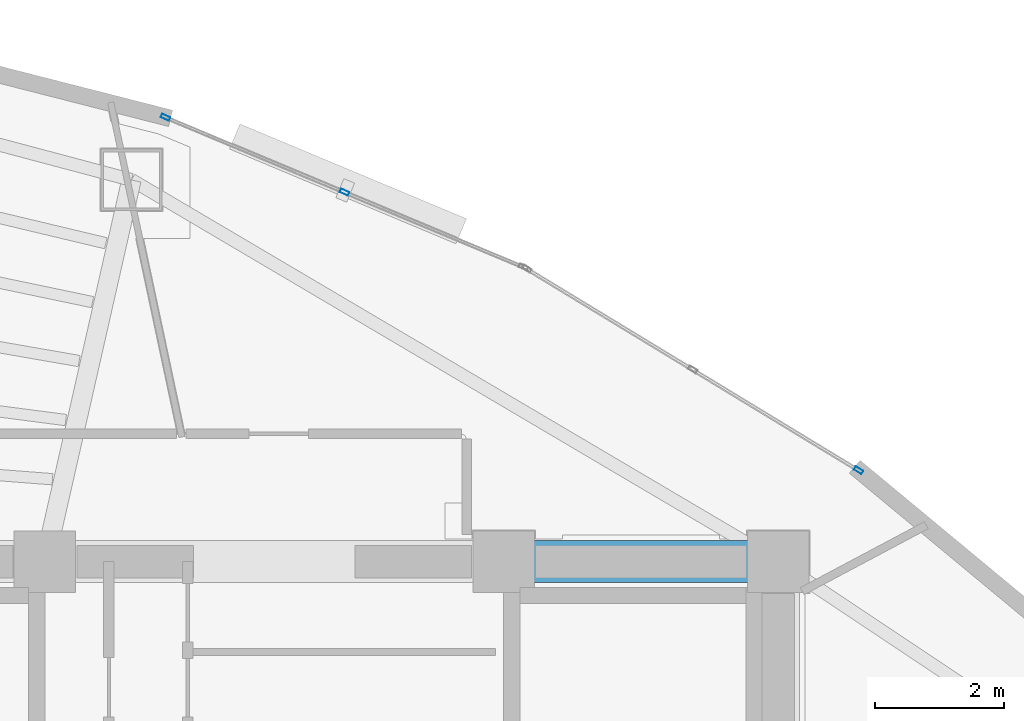
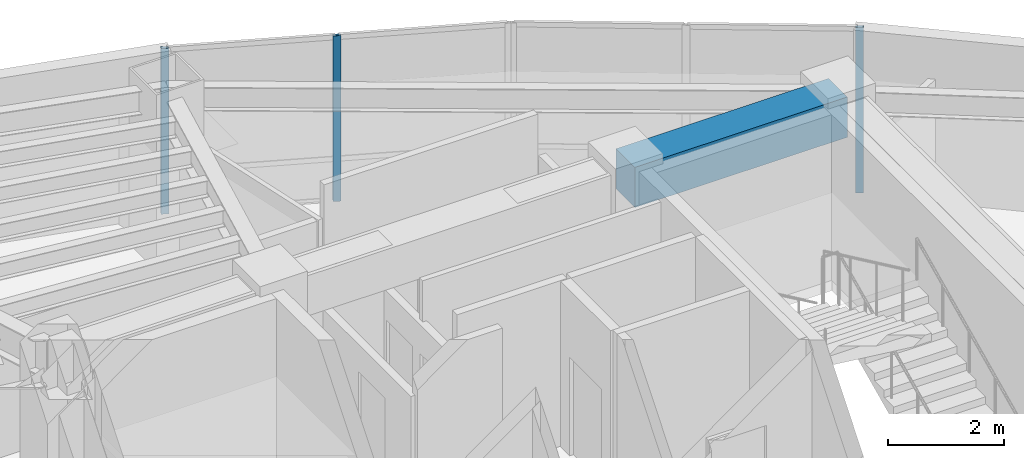
# One storey, part 9 of 15: 3 members, 1 beam, 2 elements without a shape of their own.
"""IFC4 building model written with IfcOpenShell, lengths in metres."""

from ifc_helpers import new_model, si_unit, direction, frame, origin, origin_2d, place, context, subcontext, project, spatial, rectangle, hollow_rectangle, extrude, material, layer, layer_set, material_profile, profile_set, type_object, element, aggregate, save


model = new_model("IFC4")

# Units and contexts
model_context = context("Model", 3, precision=1e-05, world=origin(), true_north=direction((0.0, 1.0)))
body_context = subcontext(model_context, "Body", "Model", "MODEL_VIEW")
ifc_project = project(units=[si_unit("LENGTHUNIT", "METRE"), si_unit("AREAUNIT", "SQUARE_METRE"), si_unit("VOLUMEUNIT", "CUBIC_METRE"), si_unit("PLANEANGLEUNIT", "RADIAN"), si_unit("MASSUNIT", "GRAM", prefix="KILO")], contexts=[model_context])

# Site, building, storey
site_placement = place(None, origin())
site = spatial("IfcSite", under=ifc_project, at=site_placement, CompositionType="ELEMENT")
building_placement = place(site_placement, origin())
building = spatial("IfcBuilding", under=site, at=building_placement, Name="Menara Vayukalpa", CompositionType="ELEMENT")
storey_placement = place(building_placement, frame((0.0, 0.0, 226.97998046875)))
storey = spatial("IfcBuildingStorey", under=building, at=storey_placement, Name="L57", CompositionType="ELEMENT", Elevation=226.97998046875)

# Beam
ifc_material_1 = material(Name="Concrete C60/75", Category="concrete")
ifc_material_profile_1 = material_profile(ifc_material_1, rectangle(XDim=0.64990234375, YDim=0.85009765625, at=origin_2d()), Name="RC 650x850")
ifc_profile_set_1 = profile_set([ifc_material_profile_1], Name="Concrete C60/75")
beam_type = type_object("IfcBeamType", Name="BM-CB1", PredefinedType="BEAM", material=ifc_profile_set_1)
beam_placement = place(storey_placement, frame((29.14990234375, 26.800048828125, 3.074951171875), z_axis=(1.0, 0.0, 0.0), x_axis=(0.0, 1.0, 0.0)))
element("IfcBeam", 1, at=beam_placement, inside=storey, type_object=beam_type, Name="L57 Core Tie Beam CBR6", PredefinedType="BEAM", context=body_context, shape_type="SweptSolid", body=[
    extrude(rectangle(XDim=0.64990234375, YDim=0.85009765625, at=origin_2d()), origin(), (0.0, 0.0, 1.0), 4.25),
])

# Curtain wall, member
ifc_material_2 = material(Name="Anodised Terracotta Aluminium Alloy 6063-T6", Category="masonry")
ifc_layer = layer(ifc_material_2, 0.139892578125)
ifc_layer_set = layer_set([ifc_layer], Name="Anodised Terracotta Aluminium Alloy 6063-T6")
curtain_wall_type = type_object("IfcCurtainWallType", Name="CW-CW5", PredefinedType="USERDEFINED", material=ifc_layer_set)
curtain_wall_1_placement = place(storey_placement, origin())
curtain_wall_1 = element("IfcCurtainWall", 2, at=curtain_wall_1_placement, inside=storey, type_object=curtain_wall_type, Name="L57 High Rise Tapered Curtain Wall CW5 04", ObjectType="UNITISED", PredefinedType="USERDEFINED")
ifc_material_3 = material(Name="Anodised Terracotta Aluminium Alloy 6063-T6", Category="masonry")
ifc_material_profile_2 = material_profile(ifc_material_3, hollow_rectangle(XDim=0.06005859375, YDim=0.139892578125, WallThickness=0.00341796875, at=origin_2d()), Name="ALU 60x140x3.5")
ifc_profile_set_2 = profile_set([ifc_material_profile_2], Name="Anodised Terracotta Aluminium Alloy 6063-T6")
member_type = type_object("IfcMemberType", Name="CWM-CW5", PredefinedType="MULLION", material=ifc_profile_set_2)
member_1_placement = place(storey_placement, frame((34.6416015625, 28.21484375, 0.0), z_axis=(0.0, 0.0, 1.0), x_axis=(-0.519179911779, -0.854664974832, 0.0)))
member_1 = element("IfcMember", 3, at=member_1_placement, type_object=member_type, Name="CW5 mullion 1", PredefinedType="MULLION", context=body_context, shape_type="SweptSolid", body=[
    extrude(hollow_rectangle(XDim=0.06005859375, YDim=0.139892578125, WallThickness=0.00341796875, at=origin_2d()), origin(), (0.0, 0.0, 1.0), 3.5),
])
aggregate(curtain_wall_1, [member_1])

# Curtain wall, members
curtain_wall_2_placement = place(storey_placement, origin())
curtain_wall_2 = element("IfcCurtainWall", 4, at=curtain_wall_2_placement, inside=storey, type_object=curtain_wall_type, Name="L57 High Rise Tapered Curtain Wall CW5 05", ObjectType="UNITISED", PredefinedType="USERDEFINED")
member_2_placement = place(storey_placement, frame((26.686279296875, 32.518310546875, 0.0), z_axis=(0.0, 0.0, 1.0), x_axis=(-0.385902834406, -0.922539431351, 0.0)))
member_2 = element("IfcMember", 5, at=member_2_placement, type_object=member_type, Name="CW5 mullion 2", PredefinedType="MULLION", context=body_context, shape_type="SweptSolid", body=[
    extrude(hollow_rectangle(XDim=0.06005859375, YDim=0.139892578125, WallThickness=0.00341796875, at=origin_2d()), origin(), (0.0, 0.0, 1.0), 3.5),
])
member_3_placement = place(storey_placement, frame((23.916259765625, 33.677001953125, 0.0), z_axis=(0.0, 0.0, 1.0), x_axis=(-0.385902834406, -0.922539431351, 0.0)))
member_3 = element("IfcMember", 6, at=member_3_placement, type_object=member_type, Name="CW5 mullion 3", PredefinedType="MULLION", context=body_context, shape_type="SweptSolid", body=[
    extrude(hollow_rectangle(XDim=0.06005859375, YDim=0.139892578125, WallThickness=0.00341796875, at=origin_2d()), origin(), (0.0, 0.0, 1.0), 3.5),
])
aggregate(curtain_wall_2, [member_2, member_3])

save(model, "model.ifc")
